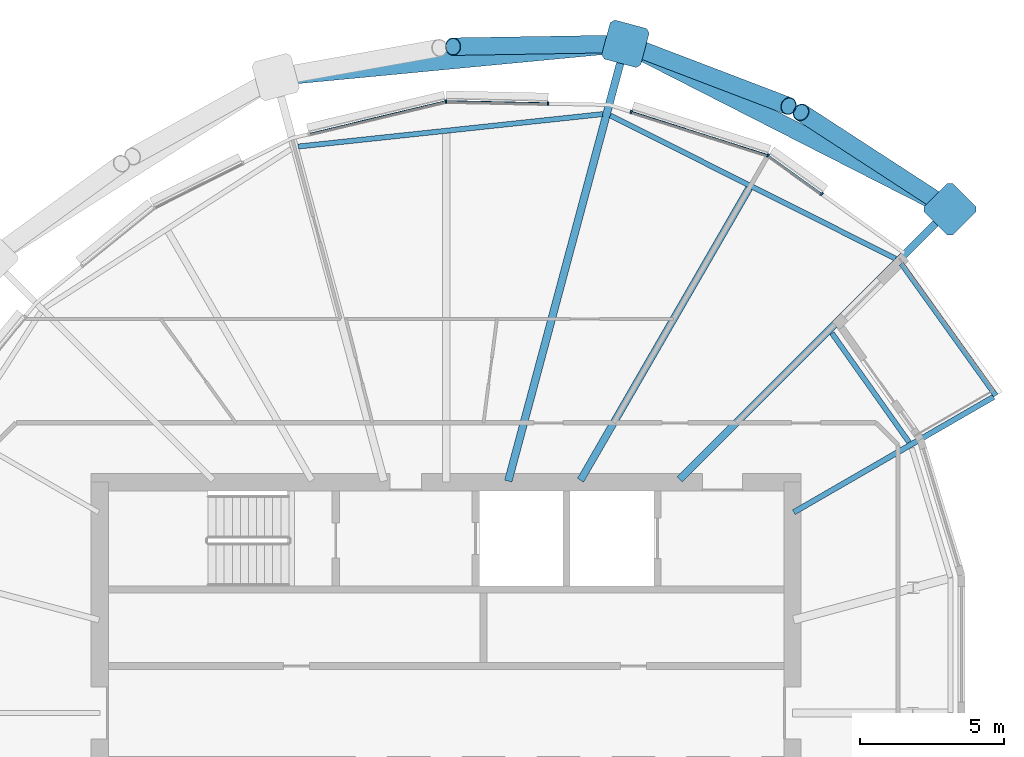
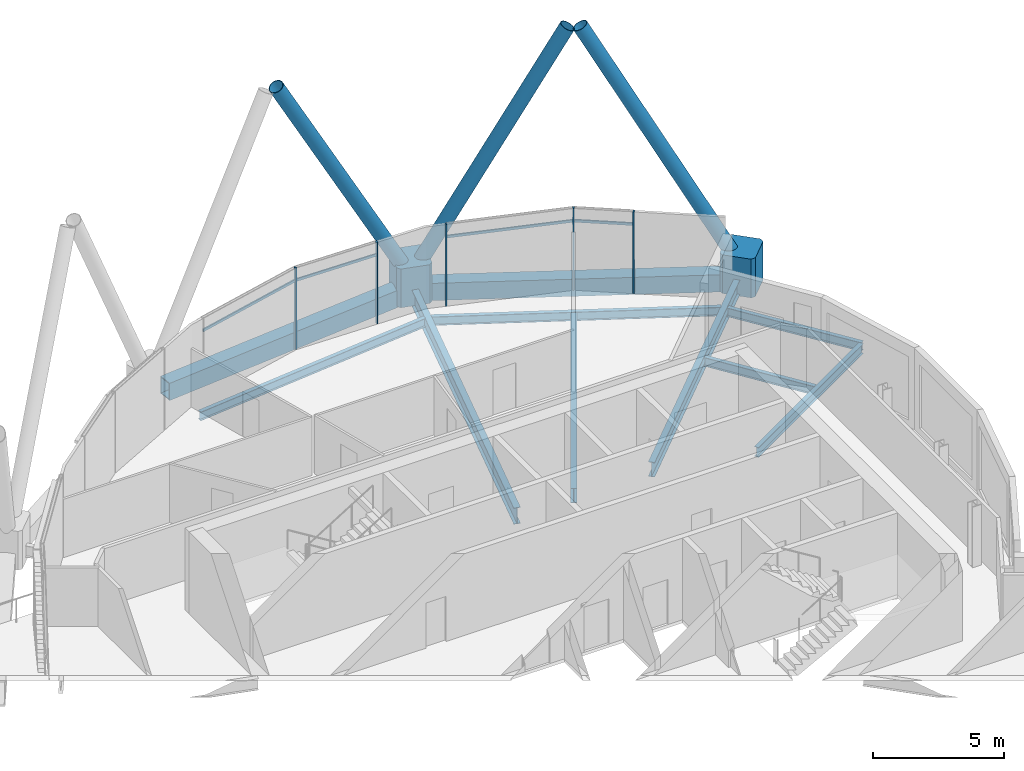
# One storey, part 19 of 38: 14 members, 10 beams, 1 element without a shape of its own.
"""IFC4 building model written with IfcOpenShell, lengths in metres."""

import ifcopenshell
import ifcopenshell.guid

model = None  # the IFC model being written
_history = None  # IfcOwnerHistory: only IFC2X3 demands one
_inside = {}  # id of a spatial element -> (the spatial element, [elements in it])
_under = {}  # id of a project, library or spatial element -> (it, [spatial elements below it])
_declared = {}  # id of a project -> (the project, [libraries it declares])
_typed = {}  # id of a type object -> (the type object, [elements of that type])
_made_of = {}  # id of a material, layer set ... -> (it, [elements and type objects made of it])


def new_model(schema):
    """Start an empty IFC model of exactly this schema.

    Asked for "IFC4X3", IfcOpenShell would pick the latest addendum, in which some entities
    have other attributes; the version numbers below select the first issue.
    IFC2X3 requires an IfcOwnerHistory on every rooted entity: one is made here for all.
    """
    global model, _history
    if schema == "IFC4X3":
        model = ifcopenshell.file(schema_version=(4, 3, 0, 0))
    else:
        model = ifcopenshell.file(schema=schema)
    _inside.clear()
    _under.clear()
    _declared.clear()
    _typed.clear()
    _made_of.clear()
    _history = None
    if model.schema == "IFC2X3":
        org = make("IfcOrganization", Name="unknown")
        user = make(
            "IfcPersonAndOrganization",
            ThePerson=make("IfcPerson", FamilyName="unknown"),
            TheOrganization=org,
        )
        app = make(
            "IfcApplication",
            ApplicationDeveloper=org,
            Version="unknown",
            ApplicationFullName="unknown",
            ApplicationIdentifier="unknown",
        )
        _history = make(
            "IfcOwnerHistory",
            OwningUser=user,
            OwningApplication=app,
            ChangeAction="ADDED",
            CreationDate=0,
        )
    return model


def make(cls, **values):
    """One entity of the class cls with the attributes given. An attribute that is None is left unset."""
    return model.create_entity(
        cls, **{name: value for name, value in values.items() if value is not None}
    )


def rooted(cls, **values):
    """An entity with a GlobalId (a new one), such as an element, a storey or a relation."""
    return make(cls, GlobalId=ifcopenshell.guid.new(), OwnerHistory=_history, **values)


def si_unit(unit_type, name, prefix=None):
    """IfcSIUnit, for example si_unit("LENGTHUNIT", "METRE", prefix="MILLI")."""
    return make("IfcSIUnit", UnitType=unit_type, Prefix=prefix, Name=name)


def assignment(units):
    """IfcUnitAssignment: the units of a project."""
    return None if units is None else make("IfcUnitAssignment", Units=units)


def point(xyz):
    """IfcCartesianPoint."""
    return None if xyz is None else make("IfcCartesianPoint", Coordinates=xyz)


def direction(xyz):
    """IfcDirection."""
    return None if xyz is None else make("IfcDirection", DirectionRatios=xyz)


def frame(location, z_axis=None, x_axis=None):
    """IfcAxis2Placement3D, a coordinate frame: its origin and axes. An axis left out is left unset."""
    return make(
        "IfcAxis2Placement3D",
        Location=point(location),
        Axis=direction(z_axis),
        RefDirection=direction(x_axis),
    )


def frame_2d(location, x_axis=None):
    """IfcAxis2Placement2D, a coordinate frame in the plane: its origin and x axis."""
    return make(
        "IfcAxis2Placement2D", Location=point(location), RefDirection=direction(x_axis)
    )


def origin():
    """The frame at (0, 0, 0) with its axes left unset."""
    return frame((0.0, 0.0, 0.0))


def origin_2d():
    """The frame at (0, 0) in the plane with its x axis left unset."""
    return frame_2d((0.0, 0.0))


def place(relative_to, where):
    """IfcLocalPlacement: puts the frame where relative to a parent placement (None: the world)."""
    return make(
        "IfcLocalPlacement", PlacementRelTo=relative_to, RelativePlacement=where
    )


def context(
    kind, dimensions, precision=None, world=None, true_north=None, identifier=None
):
    """IfcGeometricRepresentationContext, for example the 3D "Model" context."""
    return make(
        "IfcGeometricRepresentationContext",
        ContextIdentifier=identifier,
        ContextType=kind,
        CoordinateSpaceDimension=dimensions,
        Precision=precision,
        WorldCoordinateSystem=world,
        TrueNorth=true_north,
    )


def subcontext(parent, identifier, kind, view, scale=None):
    """IfcGeometricRepresentationSubContext, for example "Body" below "Model"."""
    return make(
        "IfcGeometricRepresentationSubContext",
        ContextIdentifier=identifier,
        ContextType=kind,
        ParentContext=parent,
        TargetScale=scale,
        TargetView=view,
    )


def project(units=None, contexts=None):
    """IfcProject with its units and contexts."""
    return rooted(
        "IfcProject",
        Name="project",
        RepresentationContexts=contexts,
        UnitsInContext=assignment(units),
    )


def spatial(cls, under=None, at=None, **own):
    """A site, building, storey or space (cls), placed at a placement, below another one or the project."""
    s = rooted(cls, ObjectPlacement=at, **own)
    if under is not None:
        _under.setdefault(under.id(), (under, []))[1].append(s)
    return s


def polyline(points):
    """IfcPolyline through the points."""
    return make("IfcPolyline", Points=[point(p) for p in points])


def profile(cls, at=None, kind="AREA", **sizes):
    """A parametric profile (cls). Its sizes go by their IFC names, for example OverallWidth=200.0."""
    return make(cls, ProfileType=kind, Position=at, **sizes)


def rectangle(**sizes):
    """IfcRectangleProfileDef."""
    return profile("IfcRectangleProfileDef", **sizes)


def hollow_rectangle(**sizes):
    """IfcRectangleHollowProfileDef."""
    return profile("IfcRectangleHollowProfileDef", **sizes)


def hollow_circle(**sizes):
    """IfcCircleHollowProfileDef."""
    return profile("IfcCircleHollowProfileDef", **sizes)


def i_section(**sizes):
    """IfcIShapeProfileDef."""
    return profile("IfcIShapeProfileDef", **sizes)


def outline(outer, holes=None, kind="AREA"):
    """IfcArbitraryClosedProfileDef: a profile drawn as a closed curve; with holes, ...WithVoids."""
    if holes is None:
        return make("IfcArbitraryClosedProfileDef", ProfileType=kind, OuterCurve=outer)
    return make(
        "IfcArbitraryProfileDefWithVoids",
        ProfileType=kind,
        OuterCurve=outer,
        InnerCurves=holes,
    )


def extrude(swept, where, along, depth):
    """IfcExtrudedAreaSolid: the profile swept, set in the frame where, extruded along a direction by depth."""
    return make(
        "IfcExtrudedAreaSolid",
        SweptArea=swept,
        Position=where,
        ExtrudedDirection=direction(along),
        Depth=depth,
    )


def shape(context_of_items, identifier, shape_type, items):
    """IfcShapeRepresentation: the items that make up one representation, for example the "Body"."""
    return make(
        "IfcShapeRepresentation",
        ContextOfItems=context_of_items,
        RepresentationIdentifier=identifier,
        RepresentationType=shape_type,
        Items=items,
    )


def material(Name=None, Category=None):
    """IfcMaterial."""
    return make("IfcMaterial", Name=Name, Category=Category)


def material_profile(
    of_material, cross_section, Name=None, Category=None, Priority=None
):
    """IfcMaterialProfile: a cross section and its material."""
    return make(
        "IfcMaterialProfile",
        Name=Name,
        Material=of_material,
        Profile=cross_section,
        Priority=Priority,
        Category=Category,
    )


def profile_set(profiles, Name=None, composite=None):
    """IfcMaterialProfileSet."""
    return make(
        "IfcMaterialProfileSet",
        Name=Name,
        MaterialProfiles=profiles,
        CompositeProfile=composite,
    )


def made_of(thing, what):
    """Note that an element or type object is made of a material, layer set ...; save() writes the relation."""
    if what is not None:
        _made_of.setdefault(what.id(), (what, []))[1].append(thing)
    return thing


def type_object(cls, material=None, **own):
    """A type object (cls), such as IfcWallType, which elements share."""
    return made_of(rooted(cls, **own), material)


def element(
    cls,
    number,
    at=None,
    inside=None,
    cuts=None,
    type_object=None,
    material=None,
    context=None,
    identifier="Body",
    shape_type=None,
    held_by="IfcProductDefinitionShape",
    body=None,
    shapes=None,
    **own,
):
    """One element of the class cls, such as IfcWall. Its Tag is "e" and its number.

    at: its placement. inside: the storey or other place that contains it. cuts: it is an
    opening in that element (IfcRelVoidsElement). A single representation is given by context,
    identifier, shape_type and body (its items); several are given by shapes. held_by: the class
    of the entity that holds the representations. save() writes the other relations.
    """
    e = rooted(cls, Tag="e%d" % number, ObjectPlacement=at, **own)
    if body is not None:
        shapes = [shape(context, identifier, shape_type, body)]
    if shapes is not None:
        e.Representation = make(held_by, Representations=shapes)
    if inside is not None:
        _inside.setdefault(inside.id(), (inside, []))[1].append(e)
    if cuts is not None:
        rooted(
            "IfcRelVoidsElement", RelatingBuildingElement=cuts, RelatedOpeningElement=e
        )
    if type_object is not None:
        _typed.setdefault(type_object.id(), (type_object, []))[1].append(e)
    return made_of(e, material)


def aggregate(whole, parts):
    """IfcRelAggregates: a whole, such as a stair, and the parts it consists of."""
    return rooted("IfcRelAggregates", RelatingObject=whole, RelatedObjects=parts)


def save(model, path):
    """Write the relations noted so far, then the file.

    IfcRelAggregates (storeys below a building ...), IfcRelContainedInSpatialStructure (elements
    in a storey), IfcRelDefinesByType, IfcRelAssociatesMaterial and IfcRelDeclares: one each for
    every whole, place, type object, material and project.
    """
    for whole, parts in _under.values():
        aggregate(whole, parts)
    for where, things in _inside.values():
        rooted(
            "IfcRelContainedInSpatialStructure",
            RelatedElements=things,
            RelatingStructure=where,
        )
    for kind, things in _typed.values():
        rooted("IfcRelDefinesByType", RelatedObjects=things, RelatingType=kind)
    for what, things in _made_of.values():
        rooted("IfcRelAssociatesMaterial", RelatedObjects=things, RelatingMaterial=what)
    for by, libraries in _declared.values():
        rooted("IfcRelDeclares", RelatingContext=by, RelatedDefinitions=libraries)
    model.write(path)


model = new_model("IFC4")

# Units and contexts
model_context = context("Model", 3, precision=1e-05, world=origin(), true_north=direction((0.0, 1.0)))
body_context = subcontext(model_context, "Body", "Model", "MODEL_VIEW")
ifc_project = project(units=[si_unit("LENGTHUNIT", "METRE"), si_unit("AREAUNIT", "SQUARE_METRE"), si_unit("VOLUMEUNIT", "CUBIC_METRE"), si_unit("PLANEANGLEUNIT", "RADIAN"), si_unit("MASSUNIT", "GRAM", prefix="KILO")], contexts=[model_context])

# Site, building, storey
site_placement = place(None, origin())
site = spatial("IfcSite", under=ifc_project, at=site_placement, CompositionType="ELEMENT")
building_placement = place(site_placement, origin())
building = spatial("IfcBuilding", under=site, at=building_placement, Name="Rimbun Link Towers", CompositionType="ELEMENT")
storey_placement = place(building_placement, frame((0.0, 0.0, 158.89990234375)))
storey = spatial("IfcBuildingStorey", under=building, at=storey_placement, Name="L38", CompositionType="ELEMENT", Elevation=158.89990234375)

# Curtain wall, members
ifc_material_1 = material(Name="Aluminium 6063-T6 and low-iron glass", Category="aluminium")
curtain_wall_type = type_object("IfcCurtainWallType", Name="CW1-Z3 unitised vision wall (zone 3)", PredefinedType="NOTDEFINED", material=ifc_material_1)
curtain_wall_placement = place(storey_placement, origin())
curtain_wall = element("IfcCurtainWall", 1, at=curtain_wall_placement, inside=storey, type_object=curtain_wall_type, Name="CW1 L38 T2", PredefinedType="NOTDEFINED")
ifc_material_2 = material(Name="Aluminium 6063-T6", Category="aluminium")
ifc_material_profile_1 = material_profile(ifc_material_2, rectangle(XDim=0.1201171875, YDim=0.06005859375, at=origin_2d()), Name="MULLION 60X120")
ifc_profile_set_1 = profile_set([ifc_material_profile_1], Name="Aluminium 6063-T6")
member_type_1 = type_object("IfcMemberType", Name="CW1 mullion 60X120", PredefinedType="MULLION", material=ifc_profile_set_1)
member_1_placement = place(storey_placement, frame((42.900634765625, 19.3203125, 0.0), z_axis=(0.0, 0.0, 1.0), x_axis=(0.448577408247, 0.893743983929, 0.0)))
member_1 = element("IfcMember", 2, at=member_1_placement, type_object=member_type_1, Name="CW1 mullion", PredefinedType="MULLION", context=body_context, shape_type="SweptSolid", body=[
    extrude(rectangle(XDim=0.1201171875, YDim=0.06005859375, at=origin_2d()), origin(), (0.0, 0.0, 1.0), 3.800048828125),
])
member_2_placement = place(storey_placement, frame((44.765380859375, 17.98291015625, 0.0), z_axis=(0.0, 0.0, 1.0), x_axis=(0.583003796314, 0.812469429261, 0.0)))
member_2 = element("IfcMember", 3, at=member_2_placement, type_object=member_type_1, Name="CW1 mullion", PredefinedType="MULLION", context=body_context, shape_type="SweptSolid", body=[
    extrude(rectangle(XDim=0.1201171875, YDim=0.06005859375, at=origin_2d()), origin(), (0.0, 0.0, 1.0), 3.800048828125),
])
member_3_placement = place(storey_placement, frame((38.1611328125, 20.828369140625, 0.0), z_axis=(0.0, 0.0, 1.0), x_axis=(0.303081920912, 0.952964505749, 0.0)))
member_3 = element("IfcMember", 4, at=member_3_placement, type_object=member_type_1, Name="CW1 mullion", PredefinedType="MULLION", context=body_context, shape_type="SweptSolid", body=[
    extrude(rectangle(XDim=0.1201171875, YDim=0.06005859375, at=origin_2d()), origin(), (0.0, 0.0, 1.0), 3.800048828125),
])
member_4_placement = place(storey_placement, frame((31.74365234375, 21.19189453125, 0.0), z_axis=(0.0, 0.0, 1.0), x_axis=(-0.106647052549, 0.994296940648, 0.0)))
member_4 = element("IfcMember", 5, at=member_4_placement, type_object=member_type_1, Name="CW1 mullion", PredefinedType="MULLION", context=body_context, shape_type="SweptSolid", body=[
    extrude(rectangle(XDim=0.1201171875, YDim=0.06005859375, at=origin_2d()), origin(), (0.0, 0.0, 1.0), 3.800048828125),
])
member_5_placement = place(storey_placement, frame((35.2822265625, 21.117919921875, 0.0), z_axis=(0.0, 0.0, 1.0), x_axis=(0.021058803518, 0.999778238808, 0.0)))
member_5 = element("IfcMember", 6, at=member_5_placement, type_object=member_type_1, Name="CW1 mullion", PredefinedType="MULLION", context=body_context, shape_type="SweptSolid", body=[
    extrude(rectangle(XDim=0.1201171875, YDim=0.06005859375, at=origin_2d()), origin(), (0.0, 0.0, 1.0), 3.800048828125),
])
ifc_material_3 = material(Name="Aluminium 6063-T6", Category="aluminium")
ifc_material_profile_2 = material_profile(ifc_material_3, rectangle(XDim=0.06005859375, YDim=0.1201171875, at=origin_2d()), Name="TRANSOM 60X120")
ifc_profile_set_2 = profile_set([ifc_material_profile_2], Name="Aluminium 6063-T6")
member_type_2 = type_object("IfcMemberType", Name="CW1 transom 60X120", PredefinedType="USERDEFINED", material=ifc_profile_set_2)
member_6_placement = place(storey_placement, frame((42.931884765625, 19.296142578125, 3.2001953125), z_axis=(0.812448996076, -0.583032270783, 0.0), x_axis=(0.583032270783, 0.812448996076, 0.0)))
member_6 = element("IfcMember", 7, at=member_6_placement, type_object=member_type_2, Name="CW1 transom", ObjectType="TRANSOM", PredefinedType="USERDEFINED", context=body_context, shape_type="SweptSolid", body=[
    extrude(rectangle(XDim=0.06005859375, YDim=0.1201171875, at=origin_2d()), origin(), (0.0, 0.0, 1.0), 2.22509765625),
])
member_7_placement = place(storey_placement, frame((38.189208984375, 20.8173828125, 3.2001953125), z_axis=(0.952963694266, -0.303084472401, 0.0), x_axis=(0.303084472401, 0.952963694266, 0.0)))
member_7 = element("IfcMember", 8, at=member_7_placement, type_object=member_type_2, Name="CW1 transom", ObjectType="TRANSOM", PredefinedType="USERDEFINED", context=body_context, shape_type="SweptSolid", body=[
    extrude(rectangle(XDim=0.06005859375, YDim=0.1201171875, at=origin_2d()), origin(), (0.0, 0.0, 1.0), 4.904052734375),
])
member_8_placement = place(storey_placement, frame((31.78125, 21.189453125, 3.2001953125), z_axis=(0.999778918494, -0.021026510279, 0.0), x_axis=(0.021026510279, 0.999778918494, 0.0)))
member_8 = element("IfcMember", 9, at=member_8_placement, type_object=member_type_2, Name="CW1 transom", ObjectType="TRANSOM", PredefinedType="USERDEFINED", context=body_context, shape_type="SweptSolid", body=[
    extrude(rectangle(XDim=0.06005859375, YDim=0.1201171875, at=origin_2d()), origin(), (0.0, 0.0, 1.0), 3.4716796875),
])
member_9_placement = place(storey_placement, frame((27.02783203125, 20.0625, 3.2001953125), z_axis=(0.972572154377, 0.232601385489, 0.0), x_axis=(-0.232601385489, 0.972572154377, 0.0)))
member_9 = element("IfcMember", 10, at=member_9_placement, type_object=member_type_2, Name="CW1 transom", ObjectType="TRANSOM", PredefinedType="USERDEFINED", context=body_context, shape_type="SweptSolid", body=[
    extrude(rectangle(XDim=0.06005859375, YDim=0.1201171875, at=origin_2d()), origin(), (0.0, 0.0, 1.0), 4.8115234375),
])
aggregate(curtain_wall, [member_1, member_2, member_3, member_4, member_5, member_6, member_7, member_8, member_9])

# Members
ifc_material_4 = material(Name="Steel S355J2H", Category="steel")
ifc_material_profile_3 = material_profile(ifc_material_4, hollow_circle(Radius=0.3046875, WallThickness=0.02490234375, at=origin_2d()), Name="Diagrid diagonal CHS 610x25")
ifc_profile_set_3 = profile_set([ifc_material_profile_3], Name="Steel S355J2H")
member_type_3 = type_object("IfcMemberType", Name="Diagrid diagonal CHS 610x25", PredefinedType="BRACE", material=ifc_profile_set_3)
member_10_placement = place(storey_placement, frame((49.00048828125, 17.589111328125, 0.43603515625), z_axis=(-0.41035342177, 0.266713546212, 0.872051577321), x_axis=(-0.544965112611, -0.838458720532, 0.0)))
element("IfcMember", 11, at=member_10_placement, inside=storey, type_object=member_type_3, Name="Diagrid diagonal T2 L38-L41 00b", PredefinedType="BRACE", context=body_context, shape_type="SweptSolid", body=[
    extrude(hollow_circle(Radius=0.3046875, WallThickness=0.02490234375, at=origin_2d()), origin(), (0.0, 0.0, 1.0), 12.07275390625),
])
member_11_placement = place(storey_placement, frame((38.188720703125, 23.1005859375, 0.437744140625), z_axis=(0.451430502708, -0.1723429569, 0.875504658144), x_axis=(0.356662882606, 0.934233155145, 0.0)))
element("IfcMember", 12, at=member_11_placement, inside=storey, type_object=member_type_3, Name="Diagrid diagonal T2 L38-L41 02a", PredefinedType="BRACE", context=body_context, shape_type="SweptSolid", body=[
    extrude(hollow_circle(Radius=0.3046875, WallThickness=0.02490234375, at=origin_2d()), origin(), (0.0, 0.0, 1.0), 12.021240234375),
])
member_12_placement = place(storey_placement, frame((37.7236328125, 23.182861328125, 0.439208984375), z_axis=(-0.478522798331, -0.007986245612, 0.878038809711), x_axis=(0.016687049494, -0.999860761496, 0.0)))
element("IfcMember", 13, at=member_12_placement, inside=storey, type_object=member_type_3, Name="Diagrid diagonal T2 L38-L41 02b", PredefinedType="BRACE", context=body_context, shape_type="SweptSolid", body=[
    extrude(hollow_circle(Radius=0.3046875, WallThickness=0.02490234375, at=origin_2d()), origin(), (0.0, 0.0, 1.0), 11.9833984375),
])
ifc_material_5 = material(Name="Cast steel G20Mn5+QT, Rp0.2 300 MPa", Category="steel")
ifc_material_profile_4 = material_profile(ifc_material_5, outline(polyline([(0.699951171875, -0.570068359375), (0.699951171875, 0.570068359375), (0.570068359375, 0.699951171875), (-0.570068359375, 0.699951171875), (-0.699951171875, 0.570068359375), (-0.699951171875, -0.570068359375), (-0.570068359375, -0.699951171875), (0.570068359375, -0.699951171875), (0.699951171875, -0.570068359375)])), Name="NODE 1400x1400")
ifc_profile_set_4 = profile_set([ifc_material_profile_4], Name="Cast steel G20Mn5+QT, Rp0.2 300 MPa")
member_type_4 = type_object("IfcMemberType", Name="Diagrid node cast 1400", PredefinedType="USERDEFINED", material=ifc_profile_set_4)
for number, where, z_axis, x_axis, name in (
    (14, (49.20556640625, 17.45556640625, -0.89990234375), (0.0, 0.0, 1.0), (0.707106781187, 0.707106781187, 0.0), "Diagrid node L38 00"),
    (15, (37.962890625, 23.18701171875, -0.89990234375), (0.0, 0.0, 1.0), (0.258819045103, 0.965925826289, 0.0), "Diagrid node L38 02"),
):
    element("IfcMember", number, at=place(storey_placement, frame(where, z_axis=z_axis, x_axis=x_axis)), inside=storey, type_object=member_type_4, Name=name, ObjectType="Diagrid node", PredefinedType="USERDEFINED", context=body_context, shape_type="SweptSolid", body=[
        extrude(outline(polyline([(0.699951171875, -0.570068359375), (0.699951171875, 0.570068359375), (0.570068359375, 0.699951171875), (-0.570068359375, 0.699951171875), (-0.699951171875, 0.570068359375), (-0.699951171875, -0.570068359375), (-0.570068359375, -0.699951171875), (0.570068359375, -0.699951171875), (0.699951171875, -0.570068359375)])), origin(), (0.0, 0.0, 1.0), 1.800048828125),
    ])

# Beams
ifc_material_6 = material(Name="Steel S355J2", Category="steel")
ifc_material_profile_5 = material_profile(ifc_material_6, hollow_rectangle(XDim=0.60009765625, YDim=0.800048828125, WallThickness=0.0400390625, at=origin_2d()), Name="Exoskeleton ring girder BOX 600x800x40")
ifc_profile_set_5 = profile_set([ifc_material_profile_5], Name="Steel S355J2")
beam_type_1 = type_object("IfcBeamType", Name="Exoskeleton ring girder BOX 600x800x40", PredefinedType="BEAM", material=ifc_profile_set_5)
beam_1_placement = place(storey_placement, frame((48.58203125, 17.7734375, -0.559814453125), z_axis=(-0.890918404705, 0.454163402486, 0.0), x_axis=(-0.454163402486, -0.890918404705, 0.0)))
element("IfcBeam", 16, at=beam_1_placement, inside=storey, type_object=beam_type_1, Name="Exoskeleton ring girder L38 00", PredefinedType="BEAM", context=body_context, shape_type="SweptSolid", body=[
    extrude(hollow_rectangle(XDim=0.60009765625, YDim=0.800048828125, WallThickness=0.0400390625, at=origin_2d()), origin(), (0.0, 0.0, 1.0), 11.219482421875),
])
beam_2_placement = place(storey_placement, frame((37.26611328125, 23.12060546875, -0.559814453125), z_axis=(-0.995495370726, -0.09481016224, 0.0), x_axis=(0.09481016224, -0.995495370726, 0.0)))
element("IfcBeam", 17, at=beam_2_placement, inside=storey, type_object=beam_type_1, Name="Exoskeleton ring girder L38 01", PredefinedType="BEAM", context=body_context, shape_type="SweptSolid", body=[
    extrude(hollow_rectangle(XDim=0.60009765625, YDim=0.800048828125, WallThickness=0.0400390625, at=origin_2d()), origin(), (0.0, 0.0, 1.0), 10.771484375),
])
ifc_material_7 = material(Name="Steel S355J2", Category="steel")
ifc_material_profile_6 = material_profile(ifc_material_7, i_section(OverallWidth=0.177978515625, OverallDepth=0.406494140625, WebThickness=0.0078125, FlangeThickness=0.0126953125, at=origin_2d()), Name="UB 406x178x60")
ifc_profile_set_6 = profile_set([ifc_material_profile_6], Name="Steel S355J2")
beam_type_2 = type_object("IfcBeamType", Name="UB 406x178x60", PredefinedType="BEAM", material=ifc_profile_set_6)
beam_3_placement = place(storey_placement, frame((47.315185546875, 15.745849609375, -0.35302734375), z_axis=(-0.893767984119, 0.448529587167, 0.0), x_axis=(-0.448529587167, -0.893767984119, 0.0)))
element("IfcBeam", 18, at=beam_3_placement, inside=storey, type_object=beam_type_2, Name="Edge beam T2 L38 00-02", PredefinedType="BEAM", context=body_context, shape_type="SweptSolid", body=[
    extrude(i_section(OverallWidth=0.177978515625, OverallDepth=0.406494140625, WebThickness=0.0078125, FlangeThickness=0.0126953125, at=origin_2d()), origin(), (0.0, 0.0, 1.0), 11.052734375),
])
beam_4_placement = place(storey_placement, frame((37.1708984375, 20.749755859375, -0.35302734375), z_axis=(-0.994377257736, -0.105895558437, 0.0), x_axis=(0.105895558437, -0.994377257736, 0.0)))
element("IfcBeam", 19, at=beam_4_placement, inside=storey, type_object=beam_type_2, Name="Edge beam T2 L38 02-04", PredefinedType="BEAM", context=body_context, shape_type="SweptSolid", body=[
    extrude(i_section(OverallWidth=0.177978515625, OverallDepth=0.406494140625, WebThickness=0.0078125, FlangeThickness=0.0126953125, at=origin_2d()), origin(), (0.0, 0.0, 1.0), 10.6005859375),
])
beam_5_placement = place(storey_placement, frame((47.789306640625, 9.380615234375, -0.35302734375), z_axis=(-0.577332762001, 0.816508960098, 0.0), x_axis=(-0.816508960098, -0.577332762001, 0.0)))
element("IfcBeam", 20, at=beam_5_placement, inside=storey, type_object=beam_type_2, Name="Edge beam T2 L38 23 recess", PredefinedType="BEAM", context=body_context, shape_type="SweptSolid", body=[
    extrude(i_section(OverallWidth=0.177978515625, OverallDepth=0.406494140625, WebThickness=0.0078125, FlangeThickness=0.0126953125, at=origin_2d()), origin(), (0.0, 0.0, 1.0), 4.632080078125),
])
beam_6_placement = place(storey_placement, frame((50.79443359375, 10.996337890625, -0.35302734375), z_axis=(-0.582338233237, 0.812946604711, 0.0), x_axis=(-0.812946604711, -0.582338233237, 0.0)))
element("IfcBeam", 21, at=beam_6_placement, inside=storey, type_object=beam_type_2, Name="Edge beam T2 L38 23 terrace", PredefinedType="BEAM", context=body_context, shape_type="SweptSolid", body=[
    extrude(i_section(OverallWidth=0.177978515625, OverallDepth=0.406494140625, WebThickness=0.0078125, FlangeThickness=0.0126953125, at=origin_2d()), origin(), (0.0, 0.0, 1.0), 5.623779296875),
])
ifc_material_8 = material(Name="Steel S355J2", Category="steel")
ifc_material_profile_7 = material_profile(ifc_material_8, i_section(OverallWidth=0.18994140625, OverallDepth=0.453369140625, WebThickness=0.008544921875, FlangeThickness=0.0126953125, at=origin_2d()), Name="UB 457x191x67")
ifc_profile_set_7 = profile_set([ifc_material_profile_7], Name="Steel S355J2")
beam_type_3 = type_object("IfcBeamType", Name="UB 457x191x67", PredefinedType="BEAM", material=ifc_profile_set_7)
beam_7_placement = place(storey_placement, frame((43.79833984375, 6.9560546875, -0.376708984375), z_axis=(0.866024767646, 0.500001101823, 0.0), x_axis=(-0.500001101823, 0.866024767646, 0.0)))
element("IfcBeam", 22, at=beam_7_placement, inside=storey, type_object=beam_type_3, Name="Radial beam T2 L38 23", PredefinedType="BEAM", context=body_context, shape_type="SweptSolid", body=[
    extrude(i_section(OverallWidth=0.18994140625, OverallDepth=0.453369140625, WebThickness=0.008544921875, FlangeThickness=0.0126953125, at=origin_2d()), origin(), (0.0, 0.0, 1.0), 7.98876953125),
])
ifc_material_9 = material(Name="Steel S355J2", Category="steel")
ifc_material_profile_8 = material_profile(ifc_material_9, i_section(OverallWidth=0.253662109375, OverallDepth=0.68359375, WebThickness=0.012451171875, FlangeThickness=0.01904296875, at=origin_2d()), Name="UB 686x254x140")
ifc_profile_set_8 = profile_set([ifc_material_profile_8], Name="Steel S355J2")
beam_type_4 = type_object("IfcBeamType", Name="UB 686x254x140", PredefinedType="BEAM", material=ifc_profile_set_8)
beam_8_placement = place(storey_placement, frame((39.84033203125, 8.09033203125, -0.49169921875), z_axis=(0.707106781187, 0.707106781187, 0.0), x_axis=(-0.707106781187, 0.707106781187, 0.0)))
element("IfcBeam", 23, at=beam_8_placement, inside=storey, type_object=beam_type_4, Name="Radial beam T2 L38 00", PredefinedType="BEAM", context=body_context, shape_type="SweptSolid", body=[
    extrude(i_section(OverallWidth=0.253662109375, OverallDepth=0.68359375, WebThickness=0.012451171875, FlangeThickness=0.01904296875, at=origin_2d()), origin(), (0.0, 0.0, 1.0), 12.744384765625),
])
beam_9_placement = place(storey_placement, frame((36.406005859375, 8.064208984375, -0.49169921875), z_axis=(0.499989438348, 0.866031501471, 0.0), x_axis=(-0.866031501471, 0.499989438348, 0.0)))
element("IfcBeam", 24, at=beam_9_placement, inside=storey, type_object=beam_type_4, Name="Radial beam T2 L38 01", PredefinedType="BEAM", context=body_context, shape_type="SweptSolid", body=[
    extrude(i_section(OverallWidth=0.253662109375, OverallDepth=0.68359375, WebThickness=0.012451171875, FlangeThickness=0.01904296875, at=origin_2d()), origin(), (0.0, 0.0, 1.0), 11.688720703125),
])
ifc_material_10 = material(Name="Steel S355J2", Category="steel")
ifc_material_profile_9 = material_profile(ifc_material_10, i_section(OverallWidth=0.2666015625, OverallDepth=0.76220703125, WebThickness=0.014404296875, FlangeThickness=0.021484375, at=origin_2d()), Name="UB 762x267x173")
ifc_profile_set_9 = profile_set([ifc_material_profile_9], Name="Steel S355J2")
beam_type_5 = type_object("IfcBeamType", Name="UB 762x267x173", PredefinedType="BEAM", material=ifc_profile_set_9)
beam_10_placement = place(storey_placement, frame((33.903076171875, 8.035400390625, -0.531005859375), z_axis=(0.258820194396, 0.965925518336, 0.0), x_axis=(-0.965925518336, 0.258820194396, 0.0)))
element("IfcBeam", 25, at=beam_10_placement, inside=storey, type_object=beam_type_5, Name="Radial beam T2 L38 02", PredefinedType="BEAM", context=body_context, shape_type="SweptSolid", body=[
    extrude(i_section(OverallWidth=0.2666015625, OverallDepth=0.76220703125, WebThickness=0.014404296875, FlangeThickness=0.021484375, at=origin_2d()), origin(), (0.0, 0.0, 1.0), 15.185791015625),
])

save(model, "model.ifc")
